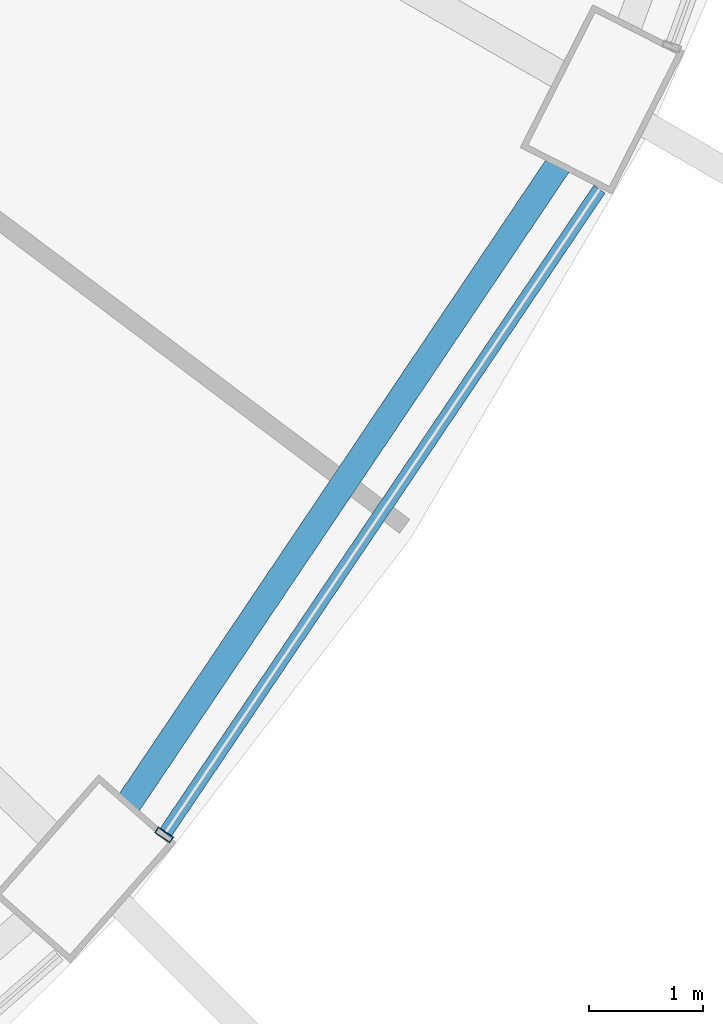
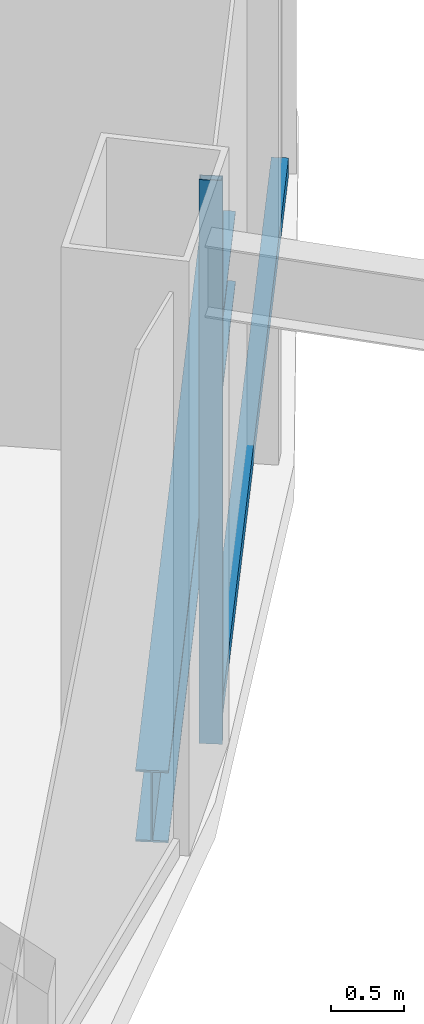
# One storey, part 14 of 52: 2 members, 1 beam, 1 element without a shape of its own.
"""IFC4 building model written with IfcOpenShell, lengths in metres."""

import ifcopenshell
import ifcopenshell.guid

model = None  # the IFC model being written
_history = None  # IfcOwnerHistory: only IFC2X3 demands one
_inside = {}  # id of a spatial element -> (the spatial element, [elements in it])
_under = {}  # id of a project, library or spatial element -> (it, [spatial elements below it])
_declared = {}  # id of a project -> (the project, [libraries it declares])
_typed = {}  # id of a type object -> (the type object, [elements of that type])
_made_of = {}  # id of a material, layer set ... -> (it, [elements and type objects made of it])


def new_model(schema):
    """Start an empty IFC model of exactly this schema.

    Asked for "IFC4X3", IfcOpenShell would pick the latest addendum, in which some entities
    have other attributes; the version numbers below select the first issue.
    IFC2X3 requires an IfcOwnerHistory on every rooted entity: one is made here for all.
    """
    global model, _history
    if schema == "IFC4X3":
        model = ifcopenshell.file(schema_version=(4, 3, 0, 0))
    else:
        model = ifcopenshell.file(schema=schema)
    _inside.clear()
    _under.clear()
    _declared.clear()
    _typed.clear()
    _made_of.clear()
    _history = None
    if model.schema == "IFC2X3":
        org = make("IfcOrganization", Name="unknown")
        user = make(
            "IfcPersonAndOrganization",
            ThePerson=make("IfcPerson", FamilyName="unknown"),
            TheOrganization=org,
        )
        app = make(
            "IfcApplication",
            ApplicationDeveloper=org,
            Version="unknown",
            ApplicationFullName="unknown",
            ApplicationIdentifier="unknown",
        )
        _history = make(
            "IfcOwnerHistory",
            OwningUser=user,
            OwningApplication=app,
            ChangeAction="ADDED",
            CreationDate=0,
        )
    return model


def make(cls, **values):
    """One entity of the class cls with the attributes given. An attribute that is None is left unset."""
    return model.create_entity(
        cls, **{name: value for name, value in values.items() if value is not None}
    )


def rooted(cls, **values):
    """An entity with a GlobalId (a new one), such as an element, a storey or a relation."""
    return make(cls, GlobalId=ifcopenshell.guid.new(), OwnerHistory=_history, **values)


def si_unit(unit_type, name, prefix=None):
    """IfcSIUnit, for example si_unit("LENGTHUNIT", "METRE", prefix="MILLI")."""
    return make("IfcSIUnit", UnitType=unit_type, Prefix=prefix, Name=name)


def assignment(units):
    """IfcUnitAssignment: the units of a project."""
    return None if units is None else make("IfcUnitAssignment", Units=units)


def point(xyz):
    """IfcCartesianPoint."""
    return None if xyz is None else make("IfcCartesianPoint", Coordinates=xyz)


def direction(xyz):
    """IfcDirection."""
    return None if xyz is None else make("IfcDirection", DirectionRatios=xyz)


def frame(location, z_axis=None, x_axis=None):
    """IfcAxis2Placement3D, a coordinate frame: its origin and axes. An axis left out is left unset."""
    return make(
        "IfcAxis2Placement3D",
        Location=point(location),
        Axis=direction(z_axis),
        RefDirection=direction(x_axis),
    )


def frame_2d(location, x_axis=None):
    """IfcAxis2Placement2D, a coordinate frame in the plane: its origin and x axis."""
    return make(
        "IfcAxis2Placement2D", Location=point(location), RefDirection=direction(x_axis)
    )


def origin():
    """The frame at (0, 0, 0) with its axes left unset."""
    return frame((0.0, 0.0, 0.0))


def origin_2d():
    """The frame at (0, 0) in the plane with its x axis left unset."""
    return frame_2d((0.0, 0.0))


def place(relative_to, where):
    """IfcLocalPlacement: puts the frame where relative to a parent placement (None: the world)."""
    return make(
        "IfcLocalPlacement", PlacementRelTo=relative_to, RelativePlacement=where
    )


def context(
    kind, dimensions, precision=None, world=None, true_north=None, identifier=None
):
    """IfcGeometricRepresentationContext, for example the 3D "Model" context."""
    return make(
        "IfcGeometricRepresentationContext",
        ContextIdentifier=identifier,
        ContextType=kind,
        CoordinateSpaceDimension=dimensions,
        Precision=precision,
        WorldCoordinateSystem=world,
        TrueNorth=true_north,
    )


def subcontext(parent, identifier, kind, view, scale=None):
    """IfcGeometricRepresentationSubContext, for example "Body" below "Model"."""
    return make(
        "IfcGeometricRepresentationSubContext",
        ContextIdentifier=identifier,
        ContextType=kind,
        ParentContext=parent,
        TargetScale=scale,
        TargetView=view,
    )


def project(units=None, contexts=None):
    """IfcProject with its units and contexts."""
    return rooted(
        "IfcProject",
        Name="project",
        RepresentationContexts=contexts,
        UnitsInContext=assignment(units),
    )


def spatial(cls, under=None, at=None, **own):
    """A site, building, storey or space (cls), placed at a placement, below another one or the project."""
    s = rooted(cls, ObjectPlacement=at, **own)
    if under is not None:
        _under.setdefault(under.id(), (under, []))[1].append(s)
    return s


def profile(cls, at=None, kind="AREA", **sizes):
    """A parametric profile (cls). Its sizes go by their IFC names, for example OverallWidth=200.0."""
    return make(cls, ProfileType=kind, Position=at, **sizes)


def hollow_rectangle(**sizes):
    """IfcRectangleHollowProfileDef."""
    return profile("IfcRectangleHollowProfileDef", **sizes)


def i_section(**sizes):
    """IfcIShapeProfileDef."""
    return profile("IfcIShapeProfileDef", **sizes)


def extrude(swept, where, along, depth):
    """IfcExtrudedAreaSolid: the profile swept, set in the frame where, extruded along a direction by depth."""
    return make(
        "IfcExtrudedAreaSolid",
        SweptArea=swept,
        Position=where,
        ExtrudedDirection=direction(along),
        Depth=depth,
    )


def shape(context_of_items, identifier, shape_type, items):
    """IfcShapeRepresentation: the items that make up one representation, for example the "Body"."""
    return make(
        "IfcShapeRepresentation",
        ContextOfItems=context_of_items,
        RepresentationIdentifier=identifier,
        RepresentationType=shape_type,
        Items=items,
    )


def material(Name=None, Category=None):
    """IfcMaterial."""
    return make("IfcMaterial", Name=Name, Category=Category)


def layer(
    of_material, thickness, ventilated=None, Name=None, Category=None, Priority=None
):
    """IfcMaterialLayer: one layer of a wall or slab, of a material (None: an air gap)."""
    return make(
        "IfcMaterialLayer",
        Material=of_material,
        LayerThickness=thickness,
        IsVentilated=ventilated,
        Name=Name,
        Category=Category,
        Priority=Priority,
    )


def layer_set(layers, Name=None):
    """IfcMaterialLayerSet."""
    return make("IfcMaterialLayerSet", MaterialLayers=layers, LayerSetName=Name)


def material_profile(
    of_material, cross_section, Name=None, Category=None, Priority=None
):
    """IfcMaterialProfile: a cross section and its material."""
    return make(
        "IfcMaterialProfile",
        Name=Name,
        Material=of_material,
        Profile=cross_section,
        Priority=Priority,
        Category=Category,
    )


def profile_set(profiles, Name=None, composite=None):
    """IfcMaterialProfileSet."""
    return make(
        "IfcMaterialProfileSet",
        Name=Name,
        MaterialProfiles=profiles,
        CompositeProfile=composite,
    )


def made_of(thing, what):
    """Note that an element or type object is made of a material, layer set ...; save() writes the relation."""
    if what is not None:
        _made_of.setdefault(what.id(), (what, []))[1].append(thing)
    return thing


def type_object(cls, material=None, **own):
    """A type object (cls), such as IfcWallType, which elements share."""
    return made_of(rooted(cls, **own), material)


def element(
    cls,
    number,
    at=None,
    inside=None,
    cuts=None,
    type_object=None,
    material=None,
    context=None,
    identifier="Body",
    shape_type=None,
    held_by="IfcProductDefinitionShape",
    body=None,
    shapes=None,
    **own,
):
    """One element of the class cls, such as IfcWall. Its Tag is "e" and its number.

    at: its placement. inside: the storey or other place that contains it. cuts: it is an
    opening in that element (IfcRelVoidsElement). A single representation is given by context,
    identifier, shape_type and body (its items); several are given by shapes. held_by: the class
    of the entity that holds the representations. save() writes the other relations.
    """
    e = rooted(cls, Tag="e%d" % number, ObjectPlacement=at, **own)
    if body is not None:
        shapes = [shape(context, identifier, shape_type, body)]
    if shapes is not None:
        e.Representation = make(held_by, Representations=shapes)
    if inside is not None:
        _inside.setdefault(inside.id(), (inside, []))[1].append(e)
    if cuts is not None:
        rooted(
            "IfcRelVoidsElement", RelatingBuildingElement=cuts, RelatedOpeningElement=e
        )
    if type_object is not None:
        _typed.setdefault(type_object.id(), (type_object, []))[1].append(e)
    return made_of(e, material)


def aggregate(whole, parts):
    """IfcRelAggregates: a whole, such as a stair, and the parts it consists of."""
    return rooted("IfcRelAggregates", RelatingObject=whole, RelatedObjects=parts)


def save(model, path):
    """Write the relations noted so far, then the file.

    IfcRelAggregates (storeys below a building ...), IfcRelContainedInSpatialStructure (elements
    in a storey), IfcRelDefinesByType, IfcRelAssociatesMaterial and IfcRelDeclares: one each for
    every whole, place, type object, material and project.
    """
    for whole, parts in _under.values():
        aggregate(whole, parts)
    for where, things in _inside.values():
        rooted(
            "IfcRelContainedInSpatialStructure",
            RelatedElements=things,
            RelatingStructure=where,
        )
    for kind, things in _typed.values():
        rooted("IfcRelDefinesByType", RelatedObjects=things, RelatingType=kind)
    for what, things in _made_of.values():
        rooted("IfcRelAssociatesMaterial", RelatedObjects=things, RelatingMaterial=what)
    for by, libraries in _declared.values():
        rooted("IfcRelDeclares", RelatingContext=by, RelatedDefinitions=libraries)
    model.write(path)


model = new_model("IFC4")

# Units and contexts
model_context = context("Model", 3, precision=1e-05, world=origin(), true_north=direction((0.0, 1.0)))
body_context = subcontext(model_context, "Body", "Model", "MODEL_VIEW")
ifc_project = project(units=[si_unit("LENGTHUNIT", "METRE"), si_unit("AREAUNIT", "SQUARE_METRE"), si_unit("VOLUMEUNIT", "CUBIC_METRE"), si_unit("PLANEANGLEUNIT", "RADIAN"), si_unit("MASSUNIT", "GRAM", prefix="KILO")], contexts=[model_context])

# Site, building, storey
site_placement = place(None, origin())
site = spatial("IfcSite", under=ifc_project, at=site_placement, CompositionType="ELEMENT")
building_placement = place(site_placement, origin())
building = spatial("IfcBuilding", under=site, at=building_placement, Name="Nagisa Residences", CompositionType="ELEMENT")
storey_placement = place(building_placement, frame((0.0, 0.0, 22.0)))
storey = spatial("IfcBuildingStorey", under=building, at=storey_placement, Name="L04", CompositionType="ELEMENT", Elevation=22.0)

# Curtain wall, members
ifc_material_1 = material(Name="Stainless steel curtain wall system", Category="steel")
ifc_layer = layer(ifc_material_1, 0.159912109375)
ifc_layer_set = layer_set([ifc_layer], Name="CW6 CURTAIN WALL")
curtain_wall_type = type_object("IfcCurtainWallType", Name="CW6 CURTAIN WALL", PredefinedType="NOTDEFINED", material=ifc_layer_set)
curtain_wall_placement = place(storey_placement, origin())
curtain_wall = element("IfcCurtainWall", 1, at=curtain_wall_placement, inside=storey, type_object=curtain_wall_type, Name="cw:CW6:L04:42", PredefinedType="NOTDEFINED")
ifc_material_2 = material(Name="Stainless steel", Category="steel")
ifc_material_profile_1 = material_profile(ifc_material_2, hollow_rectangle(XDim=0.159912109375, YDim=0.06005859375, WallThickness=0.006103515625, at=origin_2d()), Name="CW6 MULLION 160x60")
ifc_profile_set_1 = profile_set([ifc_material_profile_1], Name="Stainless steel")
member_type_1 = type_object("IfcMemberType", Name="CW6 MULLION 160x60", PredefinedType="MULLION", material=ifc_profile_set_1)
member_1_placement = place(storey_placement, frame((24.447998046875, -22.6845703125, 0.0), z_axis=(0.0, 0.0, 1.0), x_axis=(-0.829110926393, 0.559084136544, 0.0)))
member_1 = element("IfcMember", 2, at=member_1_placement, type_object=member_type_1, Name="CW6 mullion", PredefinedType="MULLION", context=body_context, shape_type="SweptSolid", body=[
    extrude(hollow_rectangle(XDim=0.159912109375, YDim=0.06005859375, WallThickness=0.006103515625, at=origin_2d()), origin(), (0.0, 0.0, 1.0), 4.739990234375),
])
ifc_material_3 = material(Name="Stainless steel", Category="steel")
ifc_material_profile_2 = material_profile(ifc_material_3, hollow_rectangle(XDim=0.1201171875, YDim=0.14990234375, WallThickness=0.008056640625, at=origin_2d()), Name="CW6 TRANSOM 120x150")
ifc_profile_set_2 = profile_set([ifc_material_profile_2], Name="Stainless steel")
member_type_2 = type_object("IfcMemberType", Name="CW6 TRANSOM 120x150", PredefinedType="USERDEFINED", material=ifc_profile_set_2)
member_2_placement = place(storey_placement, frame((24.43115234375, -22.70947265625, 0.074951171875), z_axis=(0.559080645991, 0.829113280124, 0.0), x_axis=(-0.829113280124, 0.559080645991, 0.0)))
member_2 = element("IfcMember", 3, at=member_2_placement, type_object=member_type_2, Name="CW6 transom", ObjectType="TRANSOM", PredefinedType="USERDEFINED", context=body_context, shape_type="SweptSolid", body=[
    extrude(hollow_rectangle(XDim=0.1201171875, YDim=0.14990234375, WallThickness=0.008056640625, at=origin_2d()), origin(), (0.0, 0.0, 1.0), 6.84326171875),
])
aggregate(curtain_wall, [member_1, member_2])

# Beam
ifc_material_4 = material(Name="Steel ASTM A572 Gr 50", Category="steel")
ifc_material_profile_3 = material_profile(ifc_material_4, i_section(OverallWidth=0.22802734375, OverallDepth=0.60302734375, WebThickness=0.010498046875, FlangeThickness=0.014892578125, at=origin_2d()), Name="W610x101")
ifc_profile_set_3 = profile_set([ifc_material_profile_3], Name="Steel ASTM A572 Gr 50")
beam_type = type_object("IfcBeamType", Name="Perimeter ring beam W610x101", PredefinedType="BEAM", material=ifc_profile_set_3)
beam_placement = place(storey_placement, frame((24.135498046875, -22.411865234375, -0.6015625), z_axis=(0.558271879663, 0.829658067144, 0.0), x_axis=(-0.829658067144, 0.558271879663, 0.0)))
element("IfcBeam", 4, at=beam_placement, inside=storey, type_object=beam_type, Name="beam:L04:pb22", PredefinedType="BEAM", context=body_context, shape_type="SweptSolid", body=[
    extrude(i_section(OverallWidth=0.22802734375, OverallDepth=0.60302734375, WebThickness=0.010498046875, FlangeThickness=0.014892578125, at=origin_2d()), origin(), (0.0, 0.0, 1.0), 6.74169921875),
])

save(model, "model.ifc")
